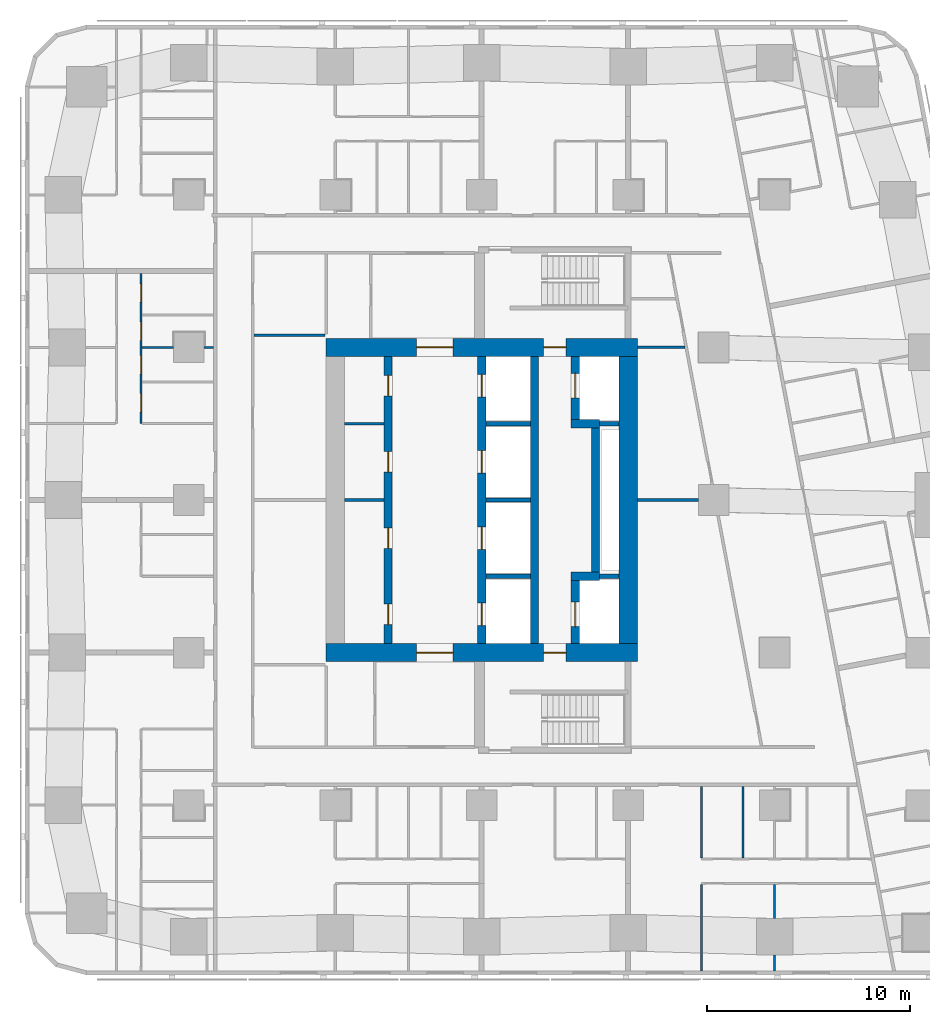
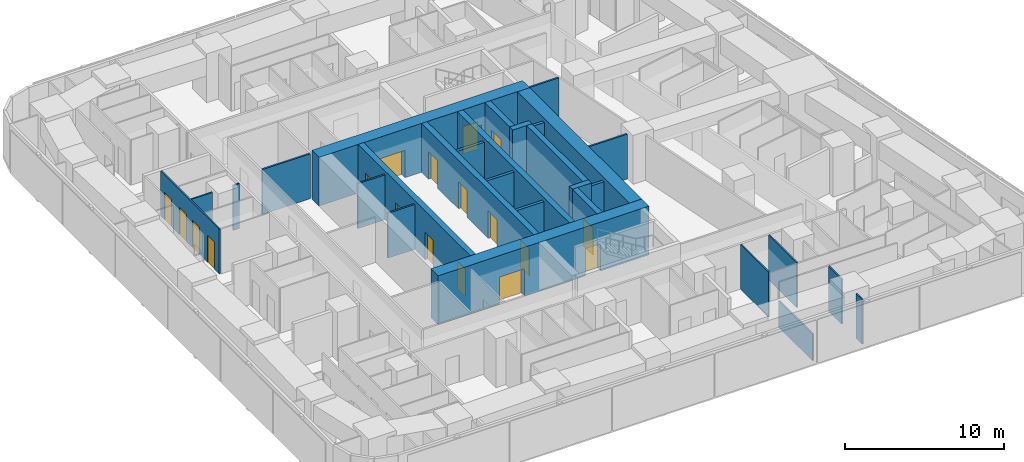
# One storey, part 5 of 15: 29 walls, 18 doors, 18 openings.
"""IFC4 building model written with IfcOpenShell, lengths in metres."""

from ifc_helpers import new_model, si_unit, direction, frame, frame_2d, origin, place, context, subcontext, project, spatial, rectangle, extrude, material, layer, layer_set, type_object, element, fill, save


model = new_model("IFC4")

# Units and contexts
model_context = context("Model", 3, precision=1e-05, world=origin(), true_north=direction((0.0, 1.0)))
body_context = subcontext(model_context, "Body", "Model", "MODEL_VIEW")
ifc_project = project(units=[si_unit("LENGTHUNIT", "METRE"), si_unit("AREAUNIT", "SQUARE_METRE"), si_unit("VOLUMEUNIT", "CUBIC_METRE"), si_unit("PLANEANGLEUNIT", "RADIAN"), si_unit("MASSUNIT", "GRAM", prefix="KILO")], contexts=[model_context])

# Site, building, storey
site_placement = place(None, origin())
site = spatial("IfcSite", under=ifc_project, at=site_placement, CompositionType="ELEMENT")
building_placement = place(site_placement, origin())
building = spatial("IfcBuilding", under=site, at=building_placement, Name="Sheger Commons Tower", CompositionType="ELEMENT")
storey_placement = place(building_placement, frame((0.0, 0.0, 184.550048828125)))
storey = spatial("IfcBuildingStorey", under=building, at=storey_placement, Name="L47", CompositionType="ELEMENT", Elevation=184.550048828125)

# Wall, openings, doors
ifc_material_1 = material(Name="Concrete C50/60", Category="concrete")
ifc_layer_1 = layer(ifc_material_1, 0.39990234375)
ifc_layer_set_1 = layer_set([ifc_layer_1], Name="CORE INNER WALL 400")
wall_type_1 = type_object("IfcWallType", Name="CORE INNER WALL 400", PredefinedType="SHEAR", material=ifc_layer_set_1)
wall_1_placement = place(storey_placement, frame((17.0, 15.449951171875, 0.0), z_axis=(0.0, 0.0, 1.0), x_axis=(0.0, 1.0, 0.0)))
wall_1 = element("IfcWall", 1, at=wall_1_placement, inside=storey, type_object=wall_type_1, Name="Core inner wall A L47", PredefinedType="SHEAR", context=body_context, shape_type="SweptSolid", body=[
    extrude(rectangle(XDim=14.10009765625, YDim=0.39990234375, at=frame_2d((7.050048828125, 0.0))), origin(), (0.0, 0.0, 1.0), 3.75),
])
opening_1_placement = place(wall_1_placement, frame((0.925048828125, 0.0, 0.0)))
opening_1 = element("IfcOpeningElement", 2, at=opening_1_placement, cuts=wall_1, Name="Opening D4", PredefinedType="OPENING", context=body_context, shape_type="SweptSolid", body=[
    extrude(rectangle(XDim=1.0, YDim=2.10009765625, at=frame_2d((0.5, 1.050048828125))), frame((0.0, 0.2099609375, 0.0), z_axis=(0.0, -1.0, 0.0), x_axis=(1.0, 0.0, 0.0)), (0.0, 0.0, 1.0), 0.419921875),
])
opening_2_placement = place(wall_1_placement, frame((4.675048828125, 0.0, 0.0)))
opening_2 = element("IfcOpeningElement", 3, at=opening_2_placement, cuts=wall_1, Name="Opening D4", PredefinedType="OPENING", context=body_context, shape_type="SweptSolid", body=[
    extrude(rectangle(XDim=1.0, YDim=2.10009765625, at=frame_2d((0.5, 1.050048828125))), frame((0.0, 0.2099609375, 0.0), z_axis=(0.0, -1.0, 0.0), x_axis=(1.0, 0.0, 0.0)), (0.0, 0.0, 1.0), 0.419921875),
])
opening_3_placement = place(wall_1_placement, frame((8.425048828125, 0.0, 0.0)))
opening_3 = element("IfcOpeningElement", 4, at=opening_3_placement, cuts=wall_1, Name="Opening D4", PredefinedType="OPENING", context=body_context, shape_type="SweptSolid", body=[
    extrude(rectangle(XDim=1.0, YDim=2.10009765625, at=frame_2d((0.5, 1.050048828125))), frame((0.0, 0.2099609375, 0.0), z_axis=(0.0, -1.0, 0.0), x_axis=(1.0, 0.0, 0.0)), (0.0, 0.0, 1.0), 0.419921875),
])
opening_4_placement = place(wall_1_placement, frame((12.175048828125, 0.0, 0.0)))
opening_4 = element("IfcOpeningElement", 5, at=opening_4_placement, cuts=wall_1, Name="Opening D4", PredefinedType="OPENING", context=body_context, shape_type="SweptSolid", body=[
    extrude(rectangle(XDim=1.0, YDim=2.10009765625, at=frame_2d((0.5, 1.050048828125))), frame((0.0, 0.2099609375, 0.0), z_axis=(0.0, -1.0, 0.0), x_axis=(1.0, 0.0, 0.0)), (0.0, 0.0, 1.0), 0.419921875),
])
ifc_material_2 = material(Name="Steel door set, fire rated", Category="steel")
door_type_1 = type_object("IfcDoorType", Name="SERVICE DOOR 1000x2100", OperationType="NOTDEFINED", PredefinedType="DOOR", material=ifc_material_2)
door_1_placement = place(opening_1_placement, origin())
door_1 = element("IfcDoor", 6, at=door_1_placement, inside=storey, type_object=door_type_1, Name="Residents' pantry and vending room door", OperationType="SINGLE_SWING_LEFT", OverallHeight=2.10009765625, OverallWidth=1.0, PredefinedType="DOOR", context=body_context, shape_type="SweptSolid", body=[
    extrude(rectangle(XDim=1.0, YDim=2.10009765625, at=frame_2d((0.5, 1.050048828125))), frame((0.0, 0.02490234375, 0.0), z_axis=(0.0, -1.0, 0.0), x_axis=(1.0, 0.0, 0.0)), (0.0, 0.0, 1.0), 0.050048828125),
])
fill(opening_1, door_1)
door_2_placement = place(opening_2_placement, origin())
door_2 = element("IfcDoor", 7, at=door_2_placement, inside=storey, type_object=door_type_1, Name="Residents' pantry and vending room door", OperationType="SINGLE_SWING_RIGHT", OverallHeight=2.10009765625, OverallWidth=1.0, PredefinedType="DOOR", context=body_context, shape_type="SweptSolid", body=[
    extrude(rectangle(XDim=1.0, YDim=2.10009765625, at=frame_2d((0.5, 1.050048828125))), frame((0.0, 0.02490234375, 0.0), z_axis=(0.0, -1.0, 0.0), x_axis=(1.0, 0.0, 0.0)), (0.0, 0.0, 1.0), 0.050048828125),
])
fill(opening_2, door_2)
door_3_placement = place(opening_3_placement, origin())
door_3 = element("IfcDoor", 8, at=door_3_placement, inside=storey, type_object=door_type_1, Name="IT and telecom room door", OperationType="SINGLE_SWING_RIGHT", OverallHeight=2.10009765625, OverallWidth=1.0, PredefinedType="DOOR", context=body_context, shape_type="SweptSolid", body=[
    extrude(rectangle(XDim=1.0, YDim=2.10009765625, at=frame_2d((0.5, 1.050048828125))), frame((0.0, 0.02490234375, 0.0), z_axis=(0.0, -1.0, 0.0), x_axis=(1.0, 0.0, 0.0)), (0.0, 0.0, 1.0), 0.050048828125),
])
fill(opening_3, door_3)
door_4_placement = place(opening_4_placement, origin())
door_4 = element("IfcDoor", 9, at=door_4_placement, inside=storey, type_object=door_type_1, Name="Cleaner's store door", OperationType="SINGLE_SWING_RIGHT", OverallHeight=2.10009765625, OverallWidth=1.0, PredefinedType="DOOR", context=body_context, shape_type="SweptSolid", body=[
    extrude(rectangle(XDim=1.0, YDim=2.10009765625, at=frame_2d((0.5, 1.050048828125))), frame((0.0, 0.02490234375, 0.0), z_axis=(0.0, -1.0, 0.0), x_axis=(1.0, 0.0, 0.0)), (0.0, 0.0, 1.0), 0.050048828125),
])
fill(opening_4, door_4)

wall_2_placement = place(storey_placement, frame((21.60009765625, 15.449951171875, 0.0), z_axis=(0.0, 0.0, 1.0), x_axis=(0.0, 1.0, 0.0)))
wall_2 = element("IfcWall", 10, at=wall_2_placement, inside=storey, type_object=wall_type_1, Name="Core inner wall L L47", PredefinedType="SHEAR", context=body_context, shape_type="SweptSolid", body=[
    extrude(rectangle(XDim=14.10009765625, YDim=0.39990234375, at=frame_2d((7.050048828125, 0.0))), origin(), (0.0, 0.0, 1.0), 3.75),
])
opening_5_placement = place(wall_2_placement, frame((0.875, 0.0, 0.0)))
opening_5 = element("IfcOpeningElement", 11, at=opening_5_placement, cuts=wall_2, Name="Opening LD", PredefinedType="OPENING", context=body_context, shape_type="SweptSolid", body=[
    extrude(rectangle(XDim=1.10009765625, YDim=2.10009765625, at=frame_2d((0.550048828125, 1.050048828125))), frame((0.0, 0.2099609375, 0.0), z_axis=(0.0, -1.0, 0.0), x_axis=(1.0, 0.0, 0.0)), (0.0, 0.0, 1.0), 0.419921875),
])
opening_6_placement = place(wall_2_placement, frame((4.625, 0.0, 0.0)))
opening_6 = element("IfcOpeningElement", 12, at=opening_6_placement, cuts=wall_2, Name="Opening LD", PredefinedType="OPENING", context=body_context, shape_type="SweptSolid", body=[
    extrude(rectangle(XDim=1.10009765625, YDim=2.10009765625, at=frame_2d((0.550048828125, 1.050048828125))), frame((0.0, 0.2099609375, 0.0), z_axis=(0.0, -1.0, 0.0), x_axis=(1.0, 0.0, 0.0)), (0.0, 0.0, 1.0), 0.419921875),
])
opening_7_placement = place(wall_2_placement, frame((8.375, 0.0, 0.0)))
opening_7 = element("IfcOpeningElement", 13, at=opening_7_placement, cuts=wall_2, Name="Opening LD", PredefinedType="OPENING", context=body_context, shape_type="SweptSolid", body=[
    extrude(rectangle(XDim=1.10009765625, YDim=2.10009765625, at=frame_2d((0.550048828125, 1.050048828125))), frame((0.0, 0.2099609375, 0.0), z_axis=(0.0, -1.0, 0.0), x_axis=(1.0, 0.0, 0.0)), (0.0, 0.0, 1.0), 0.419921875),
])
opening_8_placement = place(wall_2_placement, frame((12.125, 0.0, 0.0)))
opening_8 = element("IfcOpeningElement", 14, at=opening_8_placement, cuts=wall_2, Name="Opening LD", PredefinedType="OPENING", context=body_context, shape_type="SweptSolid", body=[
    extrude(rectangle(XDim=1.10009765625, YDim=2.10009765625, at=frame_2d((0.550048828125, 1.050048828125))), frame((0.0, 0.2099609375, 0.0), z_axis=(0.0, -1.0, 0.0), x_axis=(1.0, 0.0, 0.0)), (0.0, 0.0, 1.0), 0.419921875),
])
ifc_material_3 = material(Name="Steel door set, fire rated", Category="steel")
door_type_2 = type_object("IfcDoorType", Name="LIFT LANDING DOOR 1100x2100", OperationType="DOUBLE_DOOR_SLIDING", PredefinedType="DOOR", material=ifc_material_3)
door_5_placement = place(opening_5_placement, origin())
door_5 = element("IfcDoor", 15, at=door_5_placement, inside=storey, type_object=door_type_2, Name="Lift LB1 landing door", OperationType="DOUBLE_DOOR_SLIDING", OverallHeight=2.10009765625, OverallWidth=1.10009765625, PredefinedType="DOOR", context=body_context, shape_type="SweptSolid", body=[
    extrude(rectangle(XDim=1.10009765625, YDim=2.10009765625, at=frame_2d((0.550048828125, 1.050048828125))), frame((0.0, 0.02490234375, 0.0), z_axis=(0.0, -1.0, 0.0), x_axis=(1.0, 0.0, 0.0)), (0.0, 0.0, 1.0), 0.050048828125),
])
fill(opening_5, door_5)
door_6_placement = place(opening_6_placement, origin())
door_6 = element("IfcDoor", 16, at=door_6_placement, inside=storey, type_object=door_type_2, Name="Lift LB2 landing door", OperationType="DOUBLE_DOOR_SLIDING", OverallHeight=2.10009765625, OverallWidth=1.10009765625, PredefinedType="DOOR", context=body_context, shape_type="SweptSolid", body=[
    extrude(rectangle(XDim=1.10009765625, YDim=2.10009765625, at=frame_2d((0.550048828125, 1.050048828125))), frame((0.0, 0.02490234375, 0.0), z_axis=(0.0, -1.0, 0.0), x_axis=(1.0, 0.0, 0.0)), (0.0, 0.0, 1.0), 0.050048828125),
])
fill(opening_6, door_6)
door_7_placement = place(opening_7_placement, origin())
door_7 = element("IfcDoor", 17, at=door_7_placement, inside=storey, type_object=door_type_2, Name="Lift LB3 landing door", OperationType="DOUBLE_DOOR_SLIDING", OverallHeight=2.10009765625, OverallWidth=1.10009765625, PredefinedType="DOOR", context=body_context, shape_type="SweptSolid", body=[
    extrude(rectangle(XDim=1.10009765625, YDim=2.10009765625, at=frame_2d((0.550048828125, 1.050048828125))), frame((0.0, 0.02490234375, 0.0), z_axis=(0.0, -1.0, 0.0), x_axis=(1.0, 0.0, 0.0)), (0.0, 0.0, 1.0), 0.050048828125),
])
fill(opening_7, door_7)
door_8_placement = place(opening_8_placement, origin())
door_8 = element("IfcDoor", 18, at=door_8_placement, inside=storey, type_object=door_type_2, Name="Lift LB4 landing door", OperationType="DOUBLE_DOOR_SLIDING", OverallHeight=2.10009765625, OverallWidth=1.10009765625, PredefinedType="DOOR", context=body_context, shape_type="SweptSolid", body=[
    extrude(rectangle(XDim=1.10009765625, YDim=2.10009765625, at=frame_2d((0.550048828125, 1.050048828125))), frame((0.0, 0.02490234375, 0.0), z_axis=(0.0, -1.0, 0.0), x_axis=(1.0, 0.0, 0.0)), (0.0, 0.0, 1.0), 0.050048828125),
])
fill(opening_8, door_8)

# Wall
wall_3_placement = place(storey_placement, frame((24.199951171875, 15.449951171875, 0.0), z_axis=(0.0, 0.0, 1.0), x_axis=(0.0, 1.0, 0.0)))
element("IfcWall", 19, at=wall_3_placement, inside=storey, type_object=wall_type_1, Name="Core inner wall B L47", PredefinedType="SHEAR", context=body_context, shape_type="SweptSolid", body=[
    extrude(rectangle(XDim=14.10009765625, YDim=0.39990234375, at=frame_2d((7.050048828125, 0.0))), origin(), (0.0, 0.0, 1.0), 3.75),
])

# Wall, opening, door
wall_4_placement = place(storey_placement, frame((26.199951171875, 15.449951171875, 0.0), z_axis=(0.0, 0.0, 1.0), x_axis=(0.0, 1.0, 0.0)))
wall_4 = element("IfcWall", 20, at=wall_4_placement, inside=storey, type_object=wall_type_1, Name="Core inner wall F L47", PredefinedType="SHEAR", context=body_context, shape_type="SweptSolid", body=[
    extrude(rectangle(XDim=3.10009765625, YDim=0.39990234375, at=frame_2d((1.550048828125, 0.0))), origin(), (0.0, 0.0, 1.0), 3.75),
])
opening_9_placement = place(wall_4_placement, frame((0.824951171875, 0.0, 0.0)))
opening_9 = element("IfcOpeningElement", 21, at=opening_9_placement, cuts=wall_4, Name="Opening LD2", PredefinedType="OPENING", context=body_context, shape_type="SweptSolid", body=[
    extrude(rectangle(XDim=1.199951171875, YDim=2.10009765625, at=frame_2d((0.60009765625, 1.050048828125))), frame((0.0, 0.2099609375, 0.0), z_axis=(0.0, -1.0, 0.0), x_axis=(1.0, 0.0, 0.0)), (0.0, 0.0, 1.0), 0.419921875),
])
ifc_material_4 = material(Name="Steel door set, fire rated", Category="steel")
door_type_3 = type_object("IfcDoorType", Name="FIREFIGHTING LIFT LANDING DOOR 1200x2100", OperationType="DOUBLE_DOOR_SLIDING", PredefinedType="DOOR", material=ifc_material_4)
door_9_placement = place(opening_9_placement, origin())
door_9 = element("IfcDoor", 22, at=door_9_placement, inside=storey, type_object=door_type_3, Name="Lift FL1 landing door", OperationType="DOUBLE_DOOR_SLIDING", OverallHeight=2.10009765625, OverallWidth=1.199951171875, PredefinedType="DOOR", context=body_context, shape_type="SweptSolid", body=[
    extrude(rectangle(XDim=1.199951171875, YDim=2.10009765625, at=frame_2d((0.60009765625, 1.050048828125))), frame((0.0, 0.02490234375, 0.0), z_axis=(0.0, -1.0, 0.0), x_axis=(1.0, 0.0, 0.0)), (0.0, 0.0, 1.0), 0.050048828125),
])
fill(opening_9, door_9)

# Walls
wall_5_placement = place(storey_placement, frame((26.0, 18.75, 0.0), z_axis=(0.0, 0.0, 1.0), x_axis=(1.0, 0.0, 0.0)))
element("IfcWall", 23, at=wall_5_placement, inside=storey, type_object=wall_type_1, Name="Core inner wall F south return L47", PredefinedType="SHEAR", context=body_context, shape_type="SweptSolid", body=[
    extrude(rectangle(XDim=1.39990234375, YDim=0.39990234375, at=frame_2d((0.699951171875, 0.0))), origin(), (0.0, 0.0, 1.0), 3.75),
])
wall_6_placement = place(storey_placement, frame((27.199951171875, 18.949951171875, 0.0), z_axis=(0.0, 0.0, 1.0), x_axis=(0.0, 1.0, 0.0)))
element("IfcWall", 24, at=wall_6_placement, inside=storey, type_object=wall_type_1, Name="Core inner wall F middle L47", PredefinedType="SHEAR", context=body_context, shape_type="SweptSolid", body=[
    extrude(rectangle(XDim=7.10009765625, YDim=0.39990234375, at=frame_2d((3.550048828125, 0.0))), origin(), (0.0, 0.0, 1.0), 3.75),
])
wall_7_placement = place(storey_placement, frame((26.0, 26.25, 0.0), z_axis=(0.0, 0.0, 1.0), x_axis=(1.0, 0.0, 0.0)))
element("IfcWall", 25, at=wall_7_placement, inside=storey, type_object=wall_type_1, Name="Core inner wall F north return L47", PredefinedType="SHEAR", context=body_context, shape_type="SweptSolid", body=[
    extrude(rectangle(XDim=1.39990234375, YDim=0.39990234375, at=frame_2d((0.699951171875, 0.0))), origin(), (0.0, 0.0, 1.0), 3.75),
])

# Wall, opening, door
wall_8_placement = place(storey_placement, frame((26.199951171875, 26.449951171875, 0.0), z_axis=(0.0, 0.0, 1.0), x_axis=(0.0, 1.0, 0.0)))
wall_8 = element("IfcWall", 26, at=wall_8_placement, inside=storey, type_object=wall_type_1, Name="Core inner wall F north L47", PredefinedType="SHEAR", context=body_context, shape_type="SweptSolid", body=[
    extrude(rectangle(XDim=3.10009765625, YDim=0.39990234375, at=frame_2d((1.550048828125, 0.0))), origin(), (0.0, 0.0, 1.0), 3.75),
])
opening_10_placement = place(wall_8_placement, frame((1.074951171875, 0.0, 0.0)))
opening_10 = element("IfcOpeningElement", 27, at=opening_10_placement, cuts=wall_8, Name="Opening LD2", PredefinedType="OPENING", context=body_context, shape_type="SweptSolid", body=[
    extrude(rectangle(XDim=1.199951171875, YDim=2.10009765625, at=frame_2d((0.60009765625, 1.050048828125))), frame((0.0, 0.2099609375, 0.0), z_axis=(0.0, -1.0, 0.0), x_axis=(1.0, 0.0, 0.0)), (0.0, 0.0, 1.0), 0.419921875),
])
door_10_placement = place(opening_10_placement, origin())
door_10 = element("IfcDoor", 28, at=door_10_placement, inside=storey, type_object=door_type_3, Name="Lift FL2 landing door", OperationType="DOUBLE_DOOR_SLIDING", OverallHeight=2.10009765625, OverallWidth=1.199951171875, PredefinedType="DOOR", context=body_context, shape_type="SweptSolid", body=[
    extrude(rectangle(XDim=1.199951171875, YDim=2.10009765625, at=frame_2d((0.60009765625, 1.050048828125))), frame((0.0, 0.02490234375, 0.0), z_axis=(0.0, -1.0, 0.0), x_axis=(1.0, 0.0, 0.0)), (0.0, 0.0, 1.0), 0.050048828125),
])
fill(opening_10, door_10)

# Wall, openings, doors
ifc_material_5 = material(Name="Concrete C50/60", Category="concrete")
ifc_layer_2 = layer(ifc_material_5, 0.89990234375)
ifc_layer_set_2 = layer_set([ifc_layer_2], Name="CORE WALL 900")
wall_type_2 = type_object("IfcWallType", Name="CORE WALL 900", PredefinedType="SHEAR", material=ifc_layer_set_2)
wall_9_placement = place(storey_placement, frame((13.949951171875, 15.0, 0.0), z_axis=(0.0, 0.0, 1.0), x_axis=(1.0, 0.0, 0.0)))
wall_9 = element("IfcWall", 29, at=wall_9_placement, inside=storey, type_object=wall_type_2, Name="Core wall south L47", PredefinedType="SHEAR", context=body_context, shape_type="SweptSolid", body=[
    extrude(rectangle(XDim=15.300048828125, YDim=0.89990234375, at=frame_2d((7.64990234375, 0.0))), origin(), (0.0, 0.0, 1.0), 3.75),
])
opening_11_placement = place(wall_9_placement, frame((4.449951171875, 0.0, 0.0)))
opening_11 = element("IfcOpeningElement", 30, at=opening_11_placement, cuts=wall_9, Name="Opening D6", PredefinedType="OPENING", context=body_context, shape_type="SweptSolid", body=[
    extrude(rectangle(XDim=1.800048828125, YDim=2.10009765625, at=frame_2d((0.89990234375, 1.050048828125))), frame((0.0, 0.4599609375, 0.0), z_axis=(0.0, -1.0, 0.0), x_axis=(1.0, 0.0, 0.0)), (0.0, 0.0, 1.0), 0.919921875),
])
opening_12_placement = place(wall_9_placement, frame((10.699951171875, 0.0, 0.0)))
opening_12 = element("IfcOpeningElement", 31, at=opening_12_placement, cuts=wall_9, Name="Opening D5", PredefinedType="OPENING", context=body_context, shape_type="SweptSolid", body=[
    extrude(rectangle(XDim=1.10009765625, YDim=2.10009765625, at=frame_2d((0.550048828125, 1.050048828125))), frame((0.0, 0.4599609375, 0.0), z_axis=(0.0, -1.0, 0.0), x_axis=(1.0, 0.0, 0.0)), (0.0, 0.0, 1.0), 0.919921875),
])
ifc_material_6 = material(Name="Steel door set, fire rated", Category="steel")
door_type_4 = type_object("IfcDoorType", Name="LOBBY DOUBLE DOOR 1800x2100", OperationType="DOUBLE_DOOR_SINGLE_SWING", PredefinedType="DOOR", material=ifc_material_6)
door_11_placement = place(opening_11_placement, origin())
door_11 = element("IfcDoor", 32, at=door_11_placement, inside=storey, type_object=door_type_4, Name="Lift lobby door", OperationType="DOUBLE_DOOR_SINGLE_SWING", OverallHeight=2.10009765625, OverallWidth=1.800048828125, PredefinedType="DOOR", context=body_context, shape_type="SweptSolid", body=[
    extrude(rectangle(XDim=1.800048828125, YDim=2.10009765625, at=frame_2d((0.89990234375, 1.050048828125))), frame((0.0, 0.02490234375, 0.0), z_axis=(0.0, -1.0, 0.0), x_axis=(1.0, 0.0, 0.0)), (0.0, 0.0, 1.0), 0.050048828125),
])
fill(opening_11, door_11)
ifc_material_7 = material(Name="Steel door set, fire rated", Category="steel")
door_type_5 = type_object("IfcDoorType", Name="STAIR DOOR 1100x2100", OperationType="NOTDEFINED", PredefinedType="DOOR", material=ifc_material_7)
door_12_placement = place(opening_12_placement, origin())
door_12 = element("IfcDoor", 33, at=door_12_placement, inside=storey, type_object=door_type_5, Name="Fire-fighting lobby door", OperationType="SINGLE_SWING_RIGHT", OverallHeight=2.10009765625, OverallWidth=1.10009765625, PredefinedType="DOOR", context=body_context, shape_type="SweptSolid", body=[
    extrude(rectangle(XDim=1.10009765625, YDim=2.10009765625, at=frame_2d((0.550048828125, 1.050048828125))), frame((0.0, 0.02490234375, 0.0), z_axis=(0.0, -1.0, 0.0), x_axis=(1.0, 0.0, 0.0)), (0.0, 0.0, 1.0), 0.050048828125),
])
fill(opening_12, door_12)

wall_10_placement = place(storey_placement, frame((13.949951171875, 30.0, 0.0), z_axis=(0.0, 0.0, 1.0), x_axis=(1.0, 0.0, 0.0)))
wall_10 = element("IfcWall", 34, at=wall_10_placement, inside=storey, type_object=wall_type_2, Name="Core wall north L47", PredefinedType="SHEAR", context=body_context, shape_type="SweptSolid", body=[
    extrude(rectangle(XDim=15.300048828125, YDim=0.89990234375, at=frame_2d((7.64990234375, 0.0))), origin(), (0.0, 0.0, 1.0), 3.75),
])
opening_13_placement = place(wall_10_placement, frame((4.449951171875, 0.0, 0.0)))
opening_13 = element("IfcOpeningElement", 35, at=opening_13_placement, cuts=wall_10, Name="Opening D6", PredefinedType="OPENING", context=body_context, shape_type="SweptSolid", body=[
    extrude(rectangle(XDim=1.800048828125, YDim=2.10009765625, at=frame_2d((0.89990234375, 1.050048828125))), frame((0.0, 0.4599609375, 0.0), z_axis=(0.0, -1.0, 0.0), x_axis=(1.0, 0.0, 0.0)), (0.0, 0.0, 1.0), 0.919921875),
])
opening_14_placement = place(wall_10_placement, frame((10.699951171875, 0.0, 0.0)))
opening_14 = element("IfcOpeningElement", 36, at=opening_14_placement, cuts=wall_10, Name="Opening D5", PredefinedType="OPENING", context=body_context, shape_type="SweptSolid", body=[
    extrude(rectangle(XDim=1.10009765625, YDim=2.10009765625, at=frame_2d((0.550048828125, 1.050048828125))), frame((0.0, 0.4599609375, 0.0), z_axis=(0.0, -1.0, 0.0), x_axis=(1.0, 0.0, 0.0)), (0.0, 0.0, 1.0), 0.919921875),
])
door_13_placement = place(opening_13_placement, origin())
door_13 = element("IfcDoor", 37, at=door_13_placement, inside=storey, type_object=door_type_4, Name="Lift lobby door", OperationType="DOUBLE_DOOR_SINGLE_SWING", OverallHeight=2.10009765625, OverallWidth=1.800048828125, PredefinedType="DOOR", context=body_context, shape_type="SweptSolid", body=[
    extrude(rectangle(XDim=1.800048828125, YDim=2.10009765625, at=frame_2d((0.89990234375, 1.050048828125))), frame((0.0, 0.02490234375, 0.0), z_axis=(0.0, -1.0, 0.0), x_axis=(1.0, 0.0, 0.0)), (0.0, 0.0, 1.0), 0.050048828125),
])
fill(opening_13, door_13)
door_14_placement = place(opening_14_placement, origin())
door_14 = element("IfcDoor", 38, at=door_14_placement, inside=storey, type_object=door_type_5, Name="Fire-fighting lobby door", OperationType="SINGLE_SWING_RIGHT", OverallHeight=2.10009765625, OverallWidth=1.10009765625, PredefinedType="DOOR", context=body_context, shape_type="SweptSolid", body=[
    extrude(rectangle(XDim=1.10009765625, YDim=2.10009765625, at=frame_2d((0.550048828125, 1.050048828125))), frame((0.0, 0.02490234375, 0.0), z_axis=(0.0, -1.0, 0.0), x_axis=(1.0, 0.0, 0.0)), (0.0, 0.0, 1.0), 0.050048828125),
])
fill(opening_14, door_14)

# Wall
wall_11_placement = place(storey_placement, frame((28.800048828125, 15.449951171875, 0.0), z_axis=(0.0, 0.0, 1.0), x_axis=(0.0, 1.0, 0.0)))
element("IfcWall", 39, at=wall_11_placement, inside=storey, type_object=wall_type_2, Name="Core wall east L47", PredefinedType="SHEAR", context=body_context, shape_type="SweptSolid", body=[
    extrude(rectangle(XDim=14.10009765625, YDim=0.89990234375, at=frame_2d((7.050048828125, 0.0))), origin(), (0.0, 0.0, 1.0), 3.75),
])

# Wall, openings, doors
ifc_material_8 = material(Name="Gypsum board on steel studs", Category="steel")
ifc_layer_3 = layer(ifc_material_8, 0.10009765625)
ifc_layer_set_3 = layer_set([ifc_layer_3], Name="PARTITION 100")
wall_type_3 = type_object("IfcWallType", Name="PARTITION 100", PredefinedType="PARTITIONING", material=ifc_layer_set_3)
wall_12_placement = place(storey_placement, frame((4.85009765625, 26.25, 0.0), z_axis=(0.0, 0.0, 1.0), x_axis=(0.0, 1.0, 0.0)))
wall_12 = element("IfcWall", 40, at=wall_12_placement, inside=storey, type_object=wall_type_3, Name="Partition L47", PredefinedType="PARTITIONING", context=body_context, shape_type="SweptSolid", body=[
    extrude(rectangle(XDim=7.375, YDim=0.10009765625, at=frame_2d((3.6875, 0.0))), origin(), (0.0, 0.0, 1.0), 3.449951171875),
])
opening_15_placement = place(wall_12_placement, frame((0.574951171875, 0.0, 0.0)))
opening_15 = element("IfcOpeningElement", 41, at=opening_15_placement, cuts=wall_12, Name="Opening D2", PredefinedType="OPENING", context=body_context, shape_type="SweptSolid", body=[
    extrude(rectangle(XDim=0.89990234375, YDim=2.10009765625, at=frame_2d((0.449951171875, 1.050048828125))), frame((0.0, 0.06005859375, 0.0), z_axis=(0.0, -1.0, 0.0), x_axis=(1.0, 0.0, 0.0)), (0.0, 0.0, 1.0), 0.1201171875),
])
opening_16_placement = place(wall_12_placement, frame((4.10009765625, 0.0, 0.0)))
opening_16 = element("IfcOpeningElement", 42, at=opening_16_placement, cuts=wall_12, Name="Opening D2", PredefinedType="OPENING", context=body_context, shape_type="SweptSolid", body=[
    extrude(rectangle(XDim=0.89990234375, YDim=2.10009765625, at=frame_2d((0.449951171875, 1.050048828125))), frame((0.0, 0.06005859375, 0.0), z_axis=(0.0, -1.0, 0.0), x_axis=(1.0, 0.0, 0.0)), (0.0, 0.0, 1.0), 0.1201171875),
])
opening_17_placement = place(wall_12_placement, frame((2.449951171875, 0.0, 0.0)))
opening_17 = element("IfcOpeningElement", 43, at=opening_17_placement, cuts=wall_12, Name="Opening D2", PredefinedType="OPENING", context=body_context, shape_type="SweptSolid", body=[
    extrude(rectangle(XDim=0.89990234375, YDim=2.10009765625, at=frame_2d((0.449951171875, 1.050048828125))), frame((0.0, 0.06005859375, 0.0), z_axis=(0.0, -1.0, 0.0), x_axis=(1.0, 0.0, 0.0)), (0.0, 0.0, 1.0), 0.1201171875),
])
opening_18_placement = place(wall_12_placement, frame((5.97509765625, 0.0, 0.0)))
opening_18 = element("IfcOpeningElement", 44, at=opening_18_placement, cuts=wall_12, Name="Opening D2", PredefinedType="OPENING", context=body_context, shape_type="SweptSolid", body=[
    extrude(rectangle(XDim=0.89990234375, YDim=2.10009765625, at=frame_2d((0.449951171875, 1.050048828125))), frame((0.0, 0.06005859375, 0.0), z_axis=(0.0, -1.0, 0.0), x_axis=(1.0, 0.0, 0.0)), (0.0, 0.0, 1.0), 0.1201171875),
])
ifc_material_9 = material(Name="Timber door set", Category="wood")
door_type_6 = type_object("IfcDoorType", Name="INTERNAL DOOR 900x2100", OperationType="NOTDEFINED", PredefinedType="DOOR", material=ifc_material_9)
door_15_placement = place(opening_15_placement, origin())
door_15 = element("IfcDoor", 45, at=door_15_placement, inside=storey, type_object=door_type_6, Name="Bathroom door", OperationType="SINGLE_SWING_RIGHT", OverallHeight=2.10009765625, OverallWidth=0.89990234375, PredefinedType="DOOR", context=body_context, shape_type="SweptSolid", body=[
    extrude(rectangle(XDim=0.89990234375, YDim=2.10009765625, at=frame_2d((0.449951171875, 1.050048828125))), frame((0.0, 0.02490234375, 0.0), z_axis=(0.0, -1.0, 0.0), x_axis=(1.0, 0.0, 0.0)), (0.0, 0.0, 1.0), 0.050048828125),
])
fill(opening_15, door_15)
door_16_placement = place(opening_16_placement, origin())
door_16 = element("IfcDoor", 46, at=door_16_placement, inside=storey, type_object=door_type_6, Name="Shower room door", OperationType="SINGLE_SWING_RIGHT", OverallHeight=2.10009765625, OverallWidth=0.89990234375, PredefinedType="DOOR", context=body_context, shape_type="SweptSolid", body=[
    extrude(rectangle(XDim=0.89990234375, YDim=2.10009765625, at=frame_2d((0.449951171875, 1.050048828125))), frame((0.0, 0.02490234375, 0.0), z_axis=(0.0, -1.0, 0.0), x_axis=(1.0, 0.0, 0.0)), (0.0, 0.0, 1.0), 0.050048828125),
])
fill(opening_16, door_16)
door_17_placement = place(opening_17_placement, origin())
door_17 = element("IfcDoor", 47, at=door_17_placement, inside=storey, type_object=door_type_6, Name="Store door", OperationType="SINGLE_SWING_RIGHT", OverallHeight=2.10009765625, OverallWidth=0.89990234375, PredefinedType="DOOR", context=body_context, shape_type="SweptSolid", body=[
    extrude(rectangle(XDim=0.89990234375, YDim=2.10009765625, at=frame_2d((0.449951171875, 1.050048828125))), frame((0.0, 0.02490234375, 0.0), z_axis=(0.0, -1.0, 0.0), x_axis=(1.0, 0.0, 0.0)), (0.0, 0.0, 1.0), 0.050048828125),
])
fill(opening_17, door_17)
door_18_placement = place(opening_18_placement, origin())
door_18 = element("IfcDoor", 48, at=door_18_placement, inside=storey, type_object=door_type_6, Name="Store door", OperationType="SINGLE_SWING_LEFT", OverallHeight=2.10009765625, OverallWidth=0.89990234375, PredefinedType="DOOR", context=body_context, shape_type="SweptSolid", body=[
    extrude(rectangle(XDim=0.89990234375, YDim=2.10009765625, at=frame_2d((0.449951171875, 1.050048828125))), frame((0.0, 0.02490234375, 0.0), z_axis=(0.0, -1.0, 0.0), x_axis=(1.0, 0.0, 0.0)), (0.0, 0.0, 1.0), 0.050048828125),
])
fill(opening_18, door_18)

# Walls
wall_13_placement = place(storey_placement, frame((4.89990234375, 30.0, 0.0), z_axis=(0.0, 0.0, 1.0), x_axis=(1.0, 0.0, 0.0)))
element("IfcWall", 49, at=wall_13_placement, inside=storey, type_object=wall_type_3, Name="Partition L47", PredefinedType="PARTITIONING", context=body_context, shape_type="SweptSolid", body=[
    extrude(rectangle(XDim=1.549072265625, YDim=0.10009765625, at=frame_2d((0.7744140625, 0.0))), origin(), (0.0, 0.0, 1.0), 3.449951171875),
])
wall_14_placement = place(storey_placement, frame((7.950927734375, 30.0, 0.0), z_axis=(0.0, 0.0, 1.0), x_axis=(1.0, 0.0, 0.0)))
element("IfcWall", 50, at=wall_14_placement, inside=storey, type_object=wall_type_3, Name="Partition L47", PredefinedType="PARTITIONING", context=body_context, shape_type="SweptSolid", body=[
    extrude(rectangle(XDim=0.47412109375, YDim=0.10009765625, at=frame_2d((0.237060546875, 0.0))), origin(), (0.0, 0.0, 1.0), 3.449951171875),
])
wall_15_placement = place(storey_placement, frame((32.39990234375, -0.64990234375, 0.0), z_axis=(0.0, 0.0, 1.0), x_axis=(0.0, 1.0, 0.0)))
element("IfcWall", 51, at=wall_15_placement, inside=storey, type_object=wall_type_3, Name="Partition L47", PredefinedType="PARTITIONING", context=body_context, shape_type="SweptSolid", body=[
    extrude(rectangle(XDim=4.25, YDim=0.10009765625, at=frame_2d((2.125, 0.0))), origin(), (0.0, 0.0, 1.0), 2.050048828125),
])
wall_16_placement = place(storey_placement, frame((36.0, -0.64990234375, 0.0), z_axis=(0.0, 0.0, 1.0), x_axis=(0.0, 1.0, 0.0)))
element("IfcWall", 52, at=wall_16_placement, inside=storey, type_object=wall_type_3, Name="Partition L47", PredefinedType="PARTITIONING", context=body_context, shape_type="SweptSolid", body=[
    extrude(rectangle(XDim=0.77392578125, YDim=0.10009765625, at=frame_2d((0.386962890625, 0.0))), origin(), (0.0, 0.0, 1.0), 3.449951171875),
])
wall_17_placement = place(storey_placement, frame((36.0, 1.926025390625, 0.0), z_axis=(0.0, 0.0, 1.0), x_axis=(0.0, 1.0, 0.0)))
element("IfcWall", 53, at=wall_17_placement, inside=storey, type_object=wall_type_3, Name="Partition L47", PredefinedType="PARTITIONING", context=body_context, shape_type="SweptSolid", body=[
    extrude(rectangle(XDim=1.674072265625, YDim=0.10009765625, at=frame_2d((0.8369140625, 0.0))), origin(), (0.0, 0.0, 1.0), 3.449951171875),
])
for number, where, z_axis, x_axis, name in (
    (54, (32.39990234375, 4.89990234375, 0.0), (0.0, 0.0, 1.0), (0.0, 1.0, 0.0), "Partition L47"),
    (55, (34.449951171875, 4.89990234375, 0.0), (0.0, 0.0, 1.0), (0.0, 1.0, 0.0), "Partition L47"),
):
    element("IfcWall", number, at=place(storey_placement, frame(where, z_axis=z_axis, x_axis=x_axis)), inside=storey, type_object=wall_type_3, Name=name, PredefinedType="PARTITIONING", context=body_context, shape_type="SweptSolid", body=[
        extrude(rectangle(XDim=3.525146484375, YDim=0.10009765625, at=frame_2d((1.7626953125, 0.0))), origin(), (0.0, 0.0, 1.0), 3.449951171875),
    ])
ifc_material_10 = material(Name="Gypsum board on steel studs, two layers each side, fire rated", Category="steel")
ifc_layer_4 = layer(ifc_material_10, 0.125)
ifc_layer_set_4 = layer_set([ifc_layer_4], Name="SERVICE WALL 125")
wall_type_4 = type_object("IfcWallType", Name="SERVICE WALL 125", PredefinedType="PARTITIONING", material=ifc_layer_set_4)
wall_18_placement = place(storey_placement, frame((10.4130859375, 30.60009765625, 0.0), z_axis=(0.0, 0.0, 1.0), x_axis=(1.0, 0.0, 0.0)))
element("IfcWall", 56, at=wall_18_placement, inside=storey, type_object=wall_type_4, Name="Service room wall L47", PredefinedType="PARTITIONING", context=body_context, shape_type="SweptSolid", body=[
    extrude(rectangle(XDim=3.474853515625, YDim=0.125, at=frame_2d((1.7373046875, 0.0))), origin(), (0.0, 0.0, 1.0), 3.449951171875),
])
wall_19_placement = place(storey_placement, frame((29.25, 22.5, 0.0), z_axis=(0.0, 0.0, 1.0), x_axis=(1.0, 0.0, 0.0)))
element("IfcWall", 57, at=wall_19_placement, inside=storey, type_object=wall_type_4, Name="Service room wall L47", PredefinedType="PARTITIONING", context=body_context, shape_type="SweptSolid", body=[
    extrude(rectangle(XDim=2.9990234375, YDim=0.125, at=frame_2d((1.49951171875, 0.0))), origin(), (0.0, 0.0, 1.0), 3.449951171875),
])
wall_20_placement = place(storey_placement, frame((29.25, 30.0, 0.0), z_axis=(0.0, 0.0, 1.0), x_axis=(1.0, 0.0, 0.0)))
element("IfcWall", 58, at=wall_20_placement, inside=storey, type_object=wall_type_4, Name="Service room wall L47", PredefinedType="PARTITIONING", context=body_context, shape_type="SweptSolid", body=[
    extrude(rectangle(XDim=2.342041015625, YDim=0.125, at=frame_2d((1.1708984375, 0.0))), origin(), (0.0, 0.0, 1.0), 3.449951171875),
])
for number, where, z_axis, x_axis, name in (
    (59, (14.85009765625, 22.5, 0.0), (0.0, 0.0, 1.0), (1.0, 0.0, 0.0), "Service room wall L47"),
    (60, (14.85009765625, 26.25, 0.0), (0.0, 0.0, 1.0), (1.0, 0.0, 0.0), "Service room wall L47"),
):
    element("IfcWall", number, at=place(storey_placement, frame(where, z_axis=z_axis, x_axis=x_axis)), inside=storey, type_object=wall_type_4, Name=name, PredefinedType="PARTITIONING", context=body_context, shape_type="SweptSolid", body=[
        extrude(rectangle(XDim=1.949951171875, YDim=0.125, at=frame_2d((0.97509765625, 0.0))), origin(), (0.0, 0.0, 1.0), 3.449951171875),
    ])
ifc_material_11 = material(Name="Hollow concrete block masonry", Category="masonry")
ifc_layer_5 = layer(ifc_material_11, 0.199951171875)
ifc_layer_set_5 = layer_set([ifc_layer_5], Name="SHAFT WALL 200")
wall_type_5 = type_object("IfcWallType", Name="SHAFT WALL 200", PredefinedType="SOLIDWALL", material=ifc_layer_set_5)
for number, where, z_axis, x_axis, name in (
    (61, (21.800048828125, 18.75, 0.0), (0.0, 0.0, 1.0), (1.0, 0.0, 0.0), "Lift shaft wall L47"),
    (62, (21.800048828125, 22.5, 0.0), (0.0, 0.0, 1.0), (1.0, 0.0, 0.0), "Lift shaft wall L47"),
    (63, (21.800048828125, 26.25, 0.0), (0.0, 0.0, 1.0), (1.0, 0.0, 0.0), "Lift shaft wall L47"),
):
    element("IfcWall", number, at=place(storey_placement, frame(where, z_axis=z_axis, x_axis=x_axis)), inside=storey, type_object=wall_type_5, Name=name, PredefinedType="SOLIDWALL", context=body_context, shape_type="SweptSolid", body=[
        extrude(rectangle(XDim=2.199951171875, YDim=0.199951171875, at=frame_2d((1.10009765625, 0.0))), origin(), (0.0, 0.0, 1.0), 3.449951171875),
    ])
for number, where, z_axis, x_axis, name in (
    (64, (27.39990234375, 18.75, 0.0), (0.0, 0.0, 1.0), (1.0, 0.0, 0.0), "Lift shaft wall L47"),
    (65, (27.39990234375, 26.25, 0.0), (0.0, 0.0, 1.0), (1.0, 0.0, 0.0), "Lift shaft wall L47"),
):
    element("IfcWall", number, at=place(storey_placement, frame(where, z_axis=z_axis, x_axis=x_axis)), inside=storey, type_object=wall_type_5, Name=name, PredefinedType="SOLIDWALL", context=body_context, shape_type="SweptSolid", body=[
        extrude(rectangle(XDim=0.9501953125, YDim=0.199951171875, at=frame_2d((0.47509765625, 0.0))), origin(), (0.0, 0.0, 1.0), 3.449951171875),
    ])

save(model, "model.ifc")
